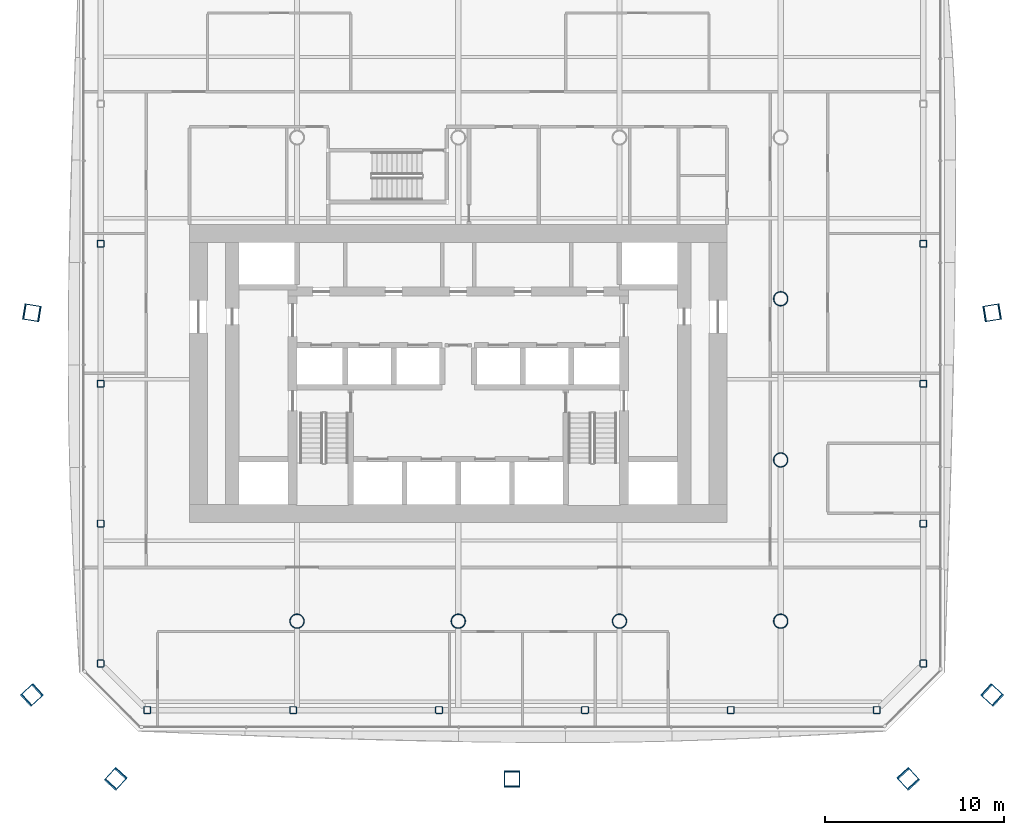
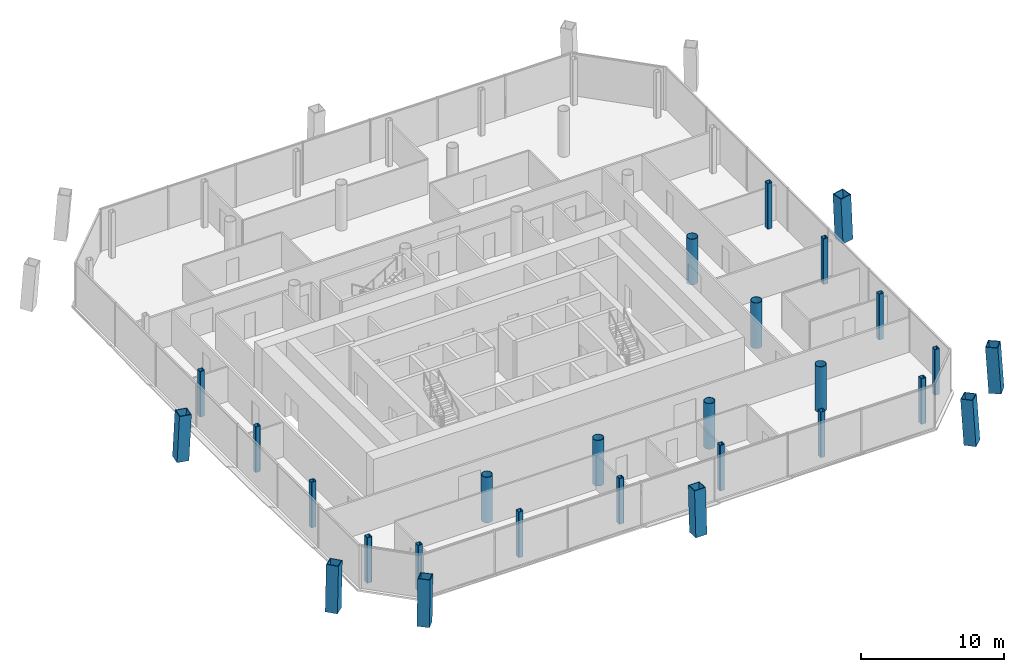
# One storey, part 1 of 19: 27 columns.
"""IFC4 building model written with IfcOpenShell, lengths in metres."""

from ifc_helpers import new_model, si_unit, direction, frame, origin, origin_2d, place, context, subcontext, project, spatial, hollow_rectangle, hollow_circle, extrude, material, material_profile, profile_set, type_object, element, save


model = new_model("IFC4")

# Units and contexts
model_context = context("Model", 3, precision=1e-05, world=origin(), true_north=direction((0.0, 1.0)))
body_context = subcontext(model_context, "Body", "Model", "MODEL_VIEW")
ifc_project = project(units=[si_unit("LENGTHUNIT", "METRE"), si_unit("AREAUNIT", "SQUARE_METRE"), si_unit("VOLUMEUNIT", "CUBIC_METRE"), si_unit("PLANEANGLEUNIT", "RADIAN"), si_unit("MASSUNIT", "GRAM", prefix="KILO")], contexts=[model_context])

# Site, building, storey
site_placement = place(None, origin())
site = spatial("IfcSite", under=ifc_project, at=site_placement, CompositionType="ELEMENT")
building_placement = place(site_placement, origin())
building = spatial("IfcBuilding", under=site, at=building_placement, Name="Tskaro Facet Tower", CompositionType="ELEMENT")
storey_placement = place(building_placement, frame((0.0, 0.0, 101.10009765625)))
storey = spatial("IfcBuildingStorey", under=building, at=storey_placement, Name="L24", CompositionType="ELEMENT", Elevation=101.10009765625)

# Columns
ifc_material_1 = material(Name="Steel S460M", Category="steel")
ifc_material_profile_1 = material_profile(ifc_material_1, hollow_rectangle(XDim=0.89990234375, YDim=0.89990234375, WallThickness=0.054931640625, at=origin_2d()), Name="BOX 900x900x55")
ifc_profile_set_1 = profile_set([ifc_material_profile_1], Name="Steel S460M")
column_type_1 = type_object("IfcColumnType", Name="BOX 900x900x55 mega column", PredefinedType="COLUMN", material=ifc_profile_set_1)
column_1_placement = place(storey_placement, frame((-19.14794921875, -26.83203125, 0.0), z_axis=(0.042484436951, 0.04660792642, 0.998009405673), x_axis=(-0.739042878551, 0.673658387955, 0.0)))
element("IfcColumn", 1, at=column_1_placement, inside=storey, type_object=column_type_1, Name="BOX 900x900x55 MC01/2", PredefinedType="COLUMN", context=body_context, shape_type="SweptSolid", body=[
    extrude(hollow_rectangle(XDim=0.89990234375, YDim=0.89990234375, WallThickness=0.054931640625, at=origin_2d()), origin(), (0.0, 0.0, 1.0), 3.90771484375),
])
column_2_placement = place(storey_placement, frame((3.0, -26.83203125, 0.0), z_axis=(0.0, 0.046650045406, 0.998911293991), x_axis=(-1.0, 0.0, 0.0)))
element("IfcColumn", 2, at=column_2_placement, inside=storey, type_object=column_type_1, Name="BOX 900x900x55 MC02/2", PredefinedType="COLUMN", context=body_context, shape_type="SweptSolid", body=[
    extrude(hollow_rectangle(XDim=0.89990234375, YDim=0.89990234375, WallThickness=0.054931640625, at=origin_2d()), origin(), (0.0, 0.0, 1.0), 3.904052734375),
])
for number, where, z_axis, x_axis, name in (
    (3, (25.14794921875, -26.83203125, 0.0), (-0.042484436951, 0.04660792642, 0.998009405673), (-0.739042878551, -0.673658387955, 0.0), "BOX 900x900x55 MC03/2"),
    (4, (29.83203125, -22.14794921875, 0.0), (-0.04660792642, 0.042484436951, 0.998009405673), (-0.673658387955, -0.739042878551, 0.0), "BOX 900x900x55 MC04/2"),
):
    element("IfcColumn", number, at=place(storey_placement, frame(where, z_axis=z_axis, x_axis=x_axis)), inside=storey, type_object=column_type_1, Name=name, PredefinedType="COLUMN", context=body_context, shape_type="SweptSolid", body=[
        extrude(hollow_rectangle(XDim=0.89990234375, YDim=0.89990234375, WallThickness=0.054931640625, at=origin_2d()), origin(), (0.0, 0.0, 1.0), 3.90771484375),
    ])
for number, where, z_axis, x_axis, name in (
    (5, (29.83203125, -0.777099609375, 0.0), (-0.046648687877, -0.007628873889, 0.998882225391), (0.161394864897, -0.986889911583, 0.0), "BOX 900x900x55 MC05/2"),
    (6, (-23.83203125, -0.777099609375, 0.0), (0.046648687877, -0.007628873889, 0.998882225391), (0.161394864897, 0.986889911583, 0.0), "BOX 900x900x55 MC11/2"),
):
    element("IfcColumn", number, at=place(storey_placement, frame(where, z_axis=z_axis, x_axis=x_axis)), inside=storey, type_object=column_type_1, Name=name, PredefinedType="COLUMN", context=body_context, shape_type="SweptSolid", body=[
        extrude(hollow_rectangle(XDim=0.89990234375, YDim=0.89990234375, WallThickness=0.054931640625, at=origin_2d()), origin(), (0.0, 0.0, 1.0), 3.904296875),
    ])
column_3_placement = place(storey_placement, frame((-23.83203125, -22.14794921875, 0.0), z_axis=(0.04660792642, 0.042484436951, 0.998009405673), x_axis=(-0.673658387955, 0.739042878551, 0.0)))
element("IfcColumn", 7, at=column_3_placement, inside=storey, type_object=column_type_1, Name="BOX 900x900x55 MC12/2", PredefinedType="COLUMN", context=body_context, shape_type="SweptSolid", body=[
    extrude(hollow_rectangle(XDim=0.89990234375, YDim=0.89990234375, WallThickness=0.054931640625, at=origin_2d()), origin(), (0.0, 0.0, 1.0), 3.90771484375),
])
ifc_material_2 = material(Name="Steel S355J2H", Category="steel")
ifc_material_profile_2 = material_profile(ifc_material_2, hollow_circle(Radius=0.406494140625, WallThickness=0.035888671875, at=origin_2d()), Name="CHS 812.8x36")
ifc_profile_set_2 = profile_set([ifc_material_profile_2], Name="Steel S355J2H")
column_type_2 = type_object("IfcColumnType", Name="CHS 812.8x36 interior column", PredefinedType="COLUMN", material=ifc_profile_set_2)
for number, where, z_axis, x_axis, name in (
    (8, (-9.0, -18.0, 0.0), (0.0, 0.0, 1.0), (1.0, 0.0, 0.0), "CHS 812.8x36 C3B/2"),
    (9, (0.0, -18.0, 0.0), (0.0, 0.0, 1.0), (1.0, 0.0, 0.0), "CHS 812.8x36 C4B/2"),
    (10, (9.0, -18.0, 0.0), (0.0, 0.0, 1.0), (1.0, 0.0, 0.0), "CHS 812.8x36 C5B/2"),
    (11, (18.0, -18.0, 0.0), (0.0, 0.0, 1.0), (1.0, 0.0, 0.0), "CHS 812.8x36 C6B/2"),
    (12, (18.0, -9.0, 0.0), (0.0, 0.0, 1.0), (1.0, 0.0, 0.0), "CHS 812.8x36 C6C/2"),
    (13, (18.0, 0.0, 0.0), (0.0, 0.0, 1.0), (1.0, 0.0, 0.0), "CHS 812.8x36 C6D/2"),
):
    element("IfcColumn", number, at=place(storey_placement, frame(where, z_axis=z_axis, x_axis=x_axis)), inside=storey, type_object=column_type_2, Name=name, PredefinedType="COLUMN", context=body_context, shape_type="SweptSolid", body=[
        extrude(hollow_circle(Radius=0.406494140625, WallThickness=0.035888671875, at=origin_2d()), origin(), (0.0, 0.0, 1.0), 3.89990234375),
    ])
ifc_material_profile_3 = material_profile(ifc_material_2, hollow_rectangle(XDim=0.39990234375, YDim=0.39990234375, WallThickness=0.02490234375, InnerFilletRadius=0.03759765625, OuterFilletRadius=0.0625, at=origin_2d()), Name="SHS 400x400x25")
ifc_profile_set_3 = profile_set([ifc_material_profile_3], Name="Steel S355J2H")
column_type_3 = type_object("IfcColumnType", Name="SHS 400x400x25 ring column", PredefinedType="COLUMN", material=ifc_profile_set_3)
for number, where, z_axis, x_axis, name in (
    (14, (-17.364013671875, -22.965087890625, 0.0), (0.0, 0.0, 1.0), (1.0, 0.0, 0.0), "SHS 400x400x25 RS-1/2"),
    (15, (-9.218017578125, -22.965087890625, 0.0), (0.0, 0.0, 1.0), (1.0, 0.0, 0.0), "SHS 400x400x25 RS-2/2"),
    (16, (-1.072998046875, -22.965087890625, 0.0), (0.0, 0.0, 1.0), (1.0, 0.0, 0.0), "SHS 400x400x25 RS-3/2"),
    (17, (7.072998046875, -22.965087890625, 0.0), (0.0, 0.0, 1.0), (1.0, 0.0, 0.0), "SHS 400x400x25 RS-4/2"),
    (18, (15.218017578125, -22.965087890625, 0.0), (0.0, 0.0, 1.0), (1.0, 0.0, 0.0), "SHS 400x400x25 RS-5/2"),
    (19, (23.364013671875, -22.965087890625, 0.0), (0.0, 0.0, 1.0), (1.0, 0.0, 0.0), "SHS 400x400x25 RSE-1/2"),
    (20, (25.965087890625, -20.364013671875, 0.0), (0.0, 0.0, 1.0), (1.0, 0.0, 0.0), "SHS 400x400x25 RE-1/2"),
    (21, (25.965087890625, -12.552978515625, 0.0), (0.0, 0.0, 1.0), (1.0, 0.0, 0.0), "SHS 400x400x25 RE-2/2"),
    (22, (25.965087890625, -4.741943359375, 0.0), (0.0, 0.0, 1.0), (1.0, 0.0, 0.0), "SHS 400x400x25 RE-3/2"),
    (23, (25.965087890625, 3.068115234375, 0.0), (0.0, 0.0, 1.0), (1.0, 0.0, 0.0), "SHS 400x400x25 RE-4/2"),
    (24, (-19.965087890625, 3.068115234375, 0.0), (0.0, 0.0, 1.0), (1.0, 0.0, 0.0), "SHS 400x400x25 RW-3/2"),
    (25, (-19.965087890625, -4.741943359375, 0.0), (0.0, 0.0, 1.0), (1.0, 0.0, 0.0), "SHS 400x400x25 RW-4/2"),
    (26, (-19.965087890625, -12.552978515625, 0.0), (0.0, 0.0, 1.0), (1.0, 0.0, 0.0), "SHS 400x400x25 RW-5/2"),
    (27, (-19.965087890625, -20.364013671875, 0.0), (0.0, 0.0, 1.0), (1.0, 0.0, 0.0), "SHS 400x400x25 RSW-1/2"),
):
    element("IfcColumn", number, at=place(storey_placement, frame(where, z_axis=z_axis, x_axis=x_axis)), inside=storey, type_object=column_type_3, Name=name, PredefinedType="COLUMN", context=body_context, shape_type="SweptSolid", body=[
        extrude(hollow_rectangle(XDim=0.39990234375, YDim=0.39990234375, WallThickness=0.02490234375, InnerFilletRadius=0.03759765625, OuterFilletRadius=0.0625, at=origin_2d()), origin(), (0.0, 0.0, 1.0), 3.89990234375),
    ])

save(model, "model.ifc")
